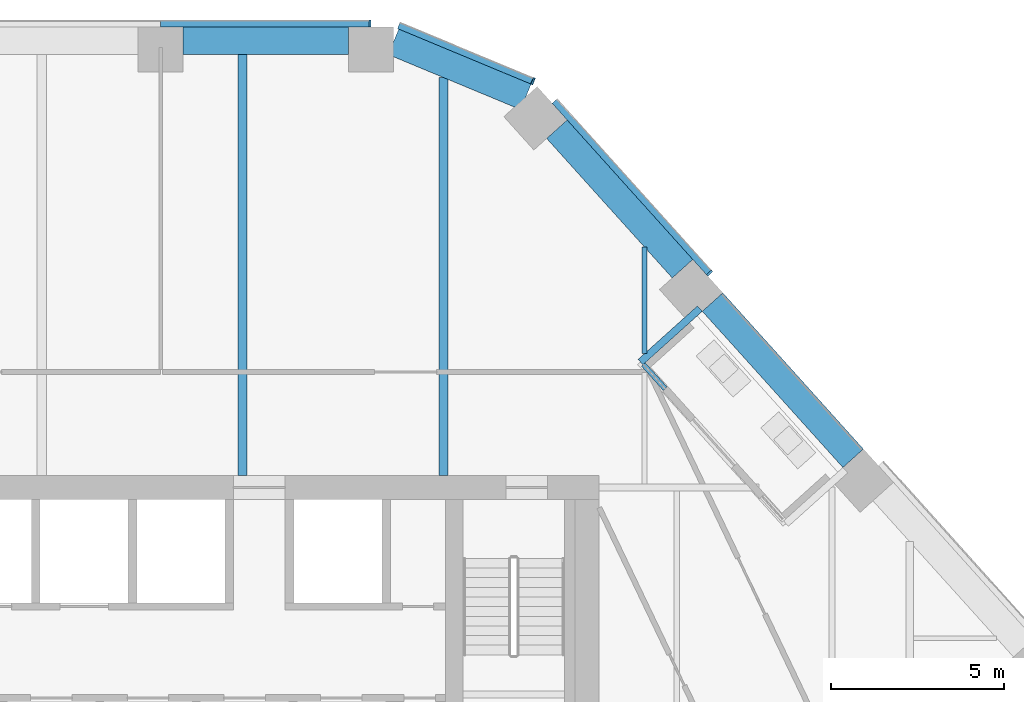
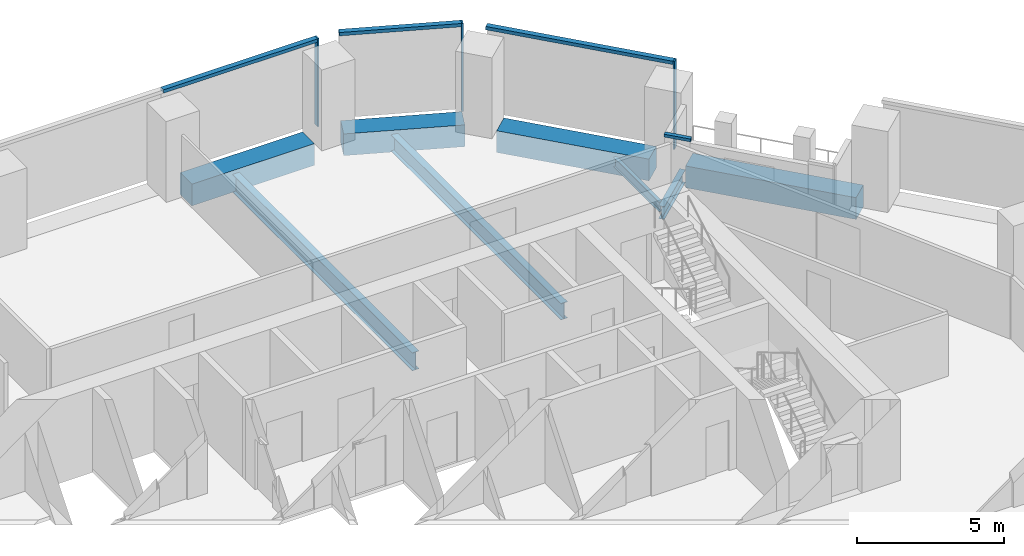
# One storey, part 11 of 26: 8 beams, 7 members, 4 elements without a shape of their own.
"""IFC4 building model written with IfcOpenShell, lengths in metres."""

from ifc_helpers import new_model, si_unit, direction, frame, origin, origin_2d, place, context, subcontext, project, spatial, rectangle, i_section, extrude, material, layer, layer_set, material_profile, profile_set, type_object, element, aggregate, save


model = new_model("IFC4")

# Units and contexts
model_context = context("Model", 3, precision=1e-05, world=origin(), true_north=direction((0.0, 1.0)))
body_context = subcontext(model_context, "Body", "Model", "MODEL_VIEW")
ifc_project = project(units=[si_unit("LENGTHUNIT", "METRE"), si_unit("AREAUNIT", "SQUARE_METRE"), si_unit("VOLUMEUNIT", "CUBIC_METRE"), si_unit("PLANEANGLEUNIT", "RADIAN"), si_unit("MASSUNIT", "GRAM", prefix="KILO")], contexts=[model_context])

# Site, building, storey
site_placement = place(None, origin())
site = spatial("IfcSite", under=ifc_project, at=site_placement, CompositionType="ELEMENT")
building_placement = place(site_placement, origin())
building = spatial("IfcBuilding", under=site, at=building_placement, Name="Isthmus Gate Tower", CompositionType="ELEMENT")
storey_placement = place(building_placement, frame((0.0, 0.0, 203.64990234375)))
storey = spatial("IfcBuildingStorey", under=building, at=storey_placement, Name="L51", CompositionType="ELEMENT", Elevation=203.64990234375)

# Curtain wall, member
ifc_material_1 = material(Name="Aluminium, pale champagne anodised", Category="aluminium")
ifc_layer_1 = layer(ifc_material_1, 0.199951171875)
ifc_layer_set_1 = layer_set([ifc_layer_1], Name="CW-1 UNITISED CURTAIN WALL 200 DEEP")
curtain_wall_type_1 = type_object("IfcCurtainWallType", Name="CW-1 UNITISED CURTAIN WALL 200 DEEP", PredefinedType="NOTDEFINED", material=ifc_layer_set_1)
curtain_wall_1_placement = place(storey_placement, origin())
curtain_wall_1 = element("IfcCurtainWall", 1, at=curtain_wall_1_placement, inside=storey, type_object=curtain_wall_type_1, Name="CW-1 N L51", PredefinedType="NOTDEFINED")
ifc_material_2 = material(Name="Aluminium, pale champagne anodised", Category="aluminium")
ifc_material_profile_1 = material_profile(ifc_material_2, rectangle(XDim=0.06005859375, YDim=0.199951171875, at=origin_2d()), Name="60x200")
ifc_profile_set_1 = profile_set([ifc_material_profile_1], Name="Aluminium, pale champagne anodised")
member_type_1 = type_object("IfcMemberType", Name="CW-1 MULLION 60 X 200", PredefinedType="MULLION", material=ifc_profile_set_1)
member_1_placement = place(storey_placement, frame((8.358642578125, 28.10009765625, 0.0), z_axis=(0.0, 0.0, 1.0), x_axis=(-1.0, 0.0, 0.0)))
member_1 = element("IfcMember", 2, at=member_1_placement, type_object=member_type_1, Name="CW-1 mullion", PredefinedType="MULLION", context=body_context, shape_type="SweptSolid", body=[
    extrude(rectangle(XDim=0.06005859375, YDim=0.199951171875, at=origin_2d()), origin(), (0.0, 0.0, 1.0), 3.650146484375),
])

curtain_wall_2_placement = place(storey_placement, origin())
curtain_wall_2 = element("IfcCurtainWall", 3, at=curtain_wall_2_placement, inside=storey, type_object=curtain_wall_type_1, Name="CW-1 NE L51", PredefinedType="NOTDEFINED")
member_2_placement = place(storey_placement, frame((18.201416015625, 20.865478515625, 0.0), z_axis=(0.0, 0.0, 1.0), x_axis=(-0.669130606359, 0.743144825477, 0.0)))
member_2 = element("IfcMember", 4, at=member_2_placement, type_object=member_type_1, Name="CW-1 mullion", PredefinedType="MULLION", context=body_context, shape_type="SweptSolid", body=[
    extrude(rectangle(XDim=0.06005859375, YDim=0.199951171875, at=origin_2d()), origin(), (0.0, 0.0, 1.0), 3.650146484375),
])

curtain_wall_3_placement = place(storey_placement, origin())
curtain_wall_3 = element("IfcCurtainWall", 5, at=curtain_wall_3_placement, inside=storey, type_object=curtain_wall_type_1, Name="CW-1 NE-N L51", PredefinedType="NOTDEFINED")
member_3_placement = place(storey_placement, frame((13.080810546875, 26.427490234375, 0.0), z_axis=(0.0, 0.0, 1.0), x_axis=(-0.923353128387, 0.383951820282, 0.0)))
member_3 = element("IfcMember", 6, at=member_3_placement, type_object=member_type_1, Name="CW-1 mullion", PredefinedType="MULLION", context=body_context, shape_type="SweptSolid", body=[
    extrude(rectangle(XDim=0.06005859375, YDim=0.199951171875, at=origin_2d()), origin(), (0.0, 0.0, 1.0), 3.650146484375),
])

# Member
ifc_material_3 = material(Name="Aluminium, pale champagne anodised", Category="aluminium")
ifc_material_profile_2 = material_profile(ifc_material_3, rectangle(XDim=0.199951171875, YDim=0.139892578125, at=origin_2d()), Name="200x140")
ifc_profile_set_2 = profile_set([ifc_material_profile_2], Name="Aluminium, pale champagne anodised")
member_type_2 = type_object("IfcMemberType", Name="CW-1 TRANSOM 200 X 140", PredefinedType="USERDEFINED", material=ifc_profile_set_2)
member_4_placement = place(storey_placement, frame((8.32861328125, 28.10009765625, 3.580078125), z_axis=(-1.0, 0.0, 0.0), x_axis=(0.0, -1.0, 0.0)))
member_4 = element("IfcMember", 7, at=member_4_placement, type_object=member_type_2, Name="CW-1 transom", ObjectType="TRANSOM", PredefinedType="USERDEFINED", context=body_context, shape_type="SweptSolid", body=[
    extrude(rectangle(XDim=0.199951171875, YDim=0.139892578125, at=origin_2d()), origin(), (0.0, 0.0, 1.0), 6.040283203125),
])

aggregate(curtain_wall_1, [member_1, member_4])

member_5_placement = place(storey_placement, frame((18.181396484375, 20.887939453125, 3.580078125), z_axis=(-0.669118161219, 0.743156030943, 0.0), x_axis=(-0.743156030943, -0.669118161219, 0.0)))
member_5 = element("IfcMember", 8, at=member_5_placement, type_object=member_type_2, Name="CW-1 transom", ObjectType="TRANSOM", PredefinedType="USERDEFINED", context=body_context, shape_type="SweptSolid", body=[
    extrude(rectangle(XDim=0.199951171875, YDim=0.139892578125, at=origin_2d()), origin(), (0.0, 0.0, 1.0), 6.6806640625),
])

aggregate(curtain_wall_2, [member_2, member_5])

member_6_placement = place(storey_placement, frame((13.05322265625, 26.43896484375, 3.580078125), z_axis=(-0.923358236369, 0.383939536033, 0.0), x_axis=(-0.383939536033, -0.923358236369, 0.0)))
member_6 = element("IfcMember", 9, at=member_6_placement, type_object=member_type_2, Name="CW-1 transom", ObjectType="TRANSOM", PredefinedType="USERDEFINED", context=body_context, shape_type="SweptSolid", body=[
    extrude(rectangle(XDim=0.199951171875, YDim=0.139892578125, at=origin_2d()), origin(), (0.0, 0.0, 1.0), 4.181640625),
])

aggregate(curtain_wall_3, [member_3, member_6])

# Curtain wall, member
ifc_material_4 = material(Name="Aluminium, pale champagne anodised", Category="aluminium")
ifc_layer_2 = layer(ifc_material_4, 0.14990234375)
ifc_layer_set_2 = layer_set([ifc_layer_2], Name="CW-6 LOGGIA BACK WALL GLAZING 150 DEEP")
curtain_wall_type_2 = type_object("IfcCurtainWallType", Name="CW-6 LOGGIA BACK WALL GLAZING 150 DEEP", PredefinedType="NOTDEFINED", material=ifc_layer_set_2)
curtain_wall_4_placement = place(storey_placement, origin())
curtain_wall_4 = element("IfcCurtainWall", 10, at=curtain_wall_4_placement, inside=storey, type_object=curtain_wall_type_2, Name="CW-6 NE L51", PredefinedType="NOTDEFINED")
ifc_material_5 = material(Name="Aluminium, pale champagne anodised", Category="aluminium")
ifc_material_profile_3 = material_profile(ifc_material_5, rectangle(XDim=0.14990234375, YDim=0.1201171875, at=origin_2d()), Name="150x120")
ifc_profile_set_3 = profile_set([ifc_material_profile_3], Name="Aluminium, pale champagne anodised")
member_type_3 = type_object("IfcMemberType", Name="CW-6 TRANSOM 150 X 120", PredefinedType="USERDEFINED", material=ifc_profile_set_3)
member_7_placement = place(storey_placement, frame((16.910888671875, 17.516357421875, 2.840087890625), z_axis=(-0.669078859383, 0.743191415401, 0.0), x_axis=(-0.743191415401, -0.669078859383, 0.0)))
member_7 = element("IfcMember", 11, at=member_7_placement, type_object=member_type_3, Name="CW-6 transom", ObjectType="TRANSOM", PredefinedType="USERDEFINED", context=body_context, shape_type="SweptSolid", body=[
    extrude(rectangle(XDim=0.14990234375, YDim=0.1201171875, at=origin_2d()), origin(), (0.0, 0.0, 1.0), 0.9453125),
])
aggregate(curtain_wall_4, [member_7])

# Beams
ifc_material_6 = material(Name="Concrete f'c 60 MPa", Category="concrete")
ifc_material_profile_4 = material_profile(ifc_material_6, rectangle(XDim=0.800048828125, YDim=0.89990234375, at=origin_2d()), Name="RC 800X900")
ifc_profile_set_4 = profile_set([ifc_material_profile_4], Name="Concrete f'c 60 MPa")
beam_type_1 = type_object("IfcBeamType", Name="RC SPANDREL 800 X 900", PredefinedType="SPANDREL", material=ifc_profile_set_4)
beam_1_placement = place(storey_placement, frame((9.03857421875, 27.56689453125, -0.449951171875), z_axis=(0.923342835736, -0.383976571805, 0.0), x_axis=(0.383976571805, 0.923342835736, 0.0)))
element("IfcBeam", 12, at=beam_1_placement, inside=storey, type_object=beam_type_1, Name="str-spandrel-L51-00", PredefinedType="SPANDREL", context=body_context, shape_type="SweptSolid", body=[
    extrude(rectangle(XDim=0.800048828125, YDim=0.89990234375, at=origin_2d()), origin(), (0.0, 0.0, 1.0), 4.152587890625),
])
beam_2_placement = place(storey_placement, frame((13.7744140625, 25.03515625, -0.449951171875), z_axis=(0.669118419563, -0.743155798337, 0.0), x_axis=(0.743155798337, 0.669118419563, 0.0)))
element("IfcBeam", 13, at=beam_2_placement, inside=storey, type_object=beam_type_1, Name="str-spandrel-L51-01", PredefinedType="SPANDREL", context=body_context, shape_type="SweptSolid", body=[
    extrude(rectangle(XDim=0.800048828125, YDim=0.89990234375, at=origin_2d()), origin(), (0.0, 0.0, 1.0), 5.44091796875),
])
beam_3_placement = place(storey_placement, frame((18.284912109375, 20.025634765625, -0.449951171875), z_axis=(0.669119737495, -0.743154611703, 0.0), x_axis=(0.743154611703, 0.669119737495, 0.0)))
element("IfcBeam", 14, at=beam_3_placement, inside=storey, type_object=beam_type_1, Name="str-spandrel-L51-02", PredefinedType="SPANDREL", context=body_context, shape_type="SweptSolid", body=[
    extrude(rectangle(XDim=0.800048828125, YDim=0.89990234375, at=origin_2d()), origin(), (0.0, 0.0, 1.0), 6.0908203125),
])
beam_4_placement = place(storey_placement, frame((2.9384765625, 27.60009765625, -0.449951171875), z_axis=(1.0, 0.0, 0.0), x_axis=(0.0, 1.0, 0.0)))
element("IfcBeam", 15, at=beam_4_placement, inside=storey, type_object=beam_type_1, Name="str-spandrel-L51-29", PredefinedType="SPANDREL", context=body_context, shape_type="SweptSolid", body=[
    extrude(rectangle(XDim=0.800048828125, YDim=0.89990234375, at=origin_2d()), origin(), (0.0, 0.0, 1.0), 4.800048828125),
])
ifc_material_7 = material(Name="Structural steel ASTM A992 Gr 50", Category="steel")
ifc_material_profile_5 = material_profile(ifc_material_7, i_section(OverallWidth=0.1396484375, OverallDepth=0.4033203125, WebThickness=0.00634765625, FlangeThickness=0.010986328125, at=origin_2d()), Name="W16X31")
ifc_profile_set_5 = profile_set([ifc_material_profile_5], Name="Structural steel ASTM A992 Gr 50")
beam_type_2 = type_object("IfcBeamType", Name="STEEL FLOOR BEAM W16X31", PredefinedType="JOIST", material=ifc_profile_set_5)
beam_5_placement = place(storey_placement, frame((16.31298828125, 18.5322265625, -0.3515625), z_axis=(0.0, 1.0, 0.0), x_axis=(-1.0, 0.0, 0.0)))
element("IfcBeam", 16, at=beam_5_placement, inside=storey, type_object=beam_type_2, Name="str-beam-L51-08-07", PredefinedType="JOIST", context=body_context, shape_type="SweptSolid", body=[
    extrude(i_section(OverallWidth=0.1396484375, OverallDepth=0.4033203125, WebThickness=0.00634765625, FlangeThickness=0.010986328125, at=origin_2d()), origin(), (0.0, 0.0, 1.0), 3.085693359375),
])
ifc_material_8 = material(Name="Structural steel ASTM A992 Gr 50", Category="steel")
ifc_material_profile_6 = material_profile(ifc_material_8, i_section(OverallWidth=0.25390625, OverallDepth=0.679443359375, WebThickness=0.010986328125, FlangeThickness=0.015869140625, at=origin_2d()), Name="W27X84")
ifc_profile_set_6 = profile_set([ifc_material_profile_6], Name="Structural steel ASTM A992 Gr 50")
beam_type_3 = type_object("IfcBeamType", Name="STEEL FLOOR BEAM W27X84", PredefinedType="JOIST", material=ifc_profile_set_6)
beam_6_placement = place(storey_placement, frame((10.489990234375, 15.0, -0.489501953125), z_axis=(0.0, 1.0, 0.0), x_axis=(-1.0, 0.0, 0.0)))
element("IfcBeam", 17, at=beam_6_placement, inside=storey, type_object=beam_type_3, Name="str-beam-L51-08-05", PredefinedType="JOIST", context=body_context, shape_type="SweptSolid", body=[
    extrude(i_section(OverallWidth=0.25390625, OverallDepth=0.679443359375, WebThickness=0.010986328125, FlangeThickness=0.015869140625, at=origin_2d()), origin(), (0.0, 0.0, 1.0), 11.530029296875),
])
ifc_material_9 = material(Name="Structural steel ASTM A992 Gr 50", Category="steel")
ifc_material_profile_7 = material_profile(ifc_material_9, i_section(OverallWidth=0.263427734375, OverallDepth=0.749267578125, WebThickness=0.0126953125, FlangeThickness=0.015869140625, at=origin_2d()), Name="W30X90")
ifc_profile_set_7 = profile_set([ifc_material_profile_7], Name="Structural steel ASTM A992 Gr 50")
beam_type_4 = type_object("IfcBeamType", Name="STEEL FLOOR BEAM W30X90", PredefinedType="JOIST", material=ifc_profile_set_7)
beam_7_placement = place(storey_placement, frame((4.6669921875, 15.0, -0.524658203125), z_axis=(0.0, 1.0, 0.0), x_axis=(-1.0, 0.0, 0.0)))
element("IfcBeam", 18, at=beam_7_placement, inside=storey, type_object=beam_type_4, Name="str-beam-L51-08-04", PredefinedType="JOIST", context=body_context, shape_type="SweptSolid", body=[
    extrude(i_section(OverallWidth=0.263427734375, OverallDepth=0.749267578125, WebThickness=0.0126953125, FlangeThickness=0.015869140625, at=origin_2d()), origin(), (0.0, 0.0, 1.0), 12.199951171875),
])
ifc_material_10 = material(Name="Structural steel ASTM A992 Gr 50", Category="steel")
ifc_material_profile_8 = material_profile(ifc_material_10, i_section(OverallWidth=0.20947265625, OverallDepth=0.533447265625, WebThickness=0.009521484375, FlangeThickness=0.015869140625, at=origin_2d()), Name="W21X62")
ifc_profile_set_8 = profile_set([ifc_material_profile_8], Name="Structural steel ASTM A992 Gr 50")
beam_type_5 = type_object("IfcBeamType", Name="STEEL TRIMMER W21X62", PredefinedType="BEAM", material=ifc_profile_set_8)
beam_8_placement = place(storey_placement, frame((17.91748046875, 19.8359375, -0.41650390625), z_axis=(-0.74311576701, -0.669162877647, 0.0), x_axis=(0.669162877647, -0.74311576701, 0.0)))
element("IfcBeam", 19, at=beam_8_placement, inside=storey, type_object=beam_type_5, Name="str-loggiatrim-L51-05-C", PredefinedType="BEAM", context=body_context, shape_type="SweptSolid", body=[
    extrude(i_section(OverallWidth=0.20947265625, OverallDepth=0.533447265625, WebThickness=0.009521484375, FlangeThickness=0.015869140625, at=origin_2d()), origin(), (0.0, 0.0, 1.0), 2.314208984375),
])

save(model, "model.ifc")
